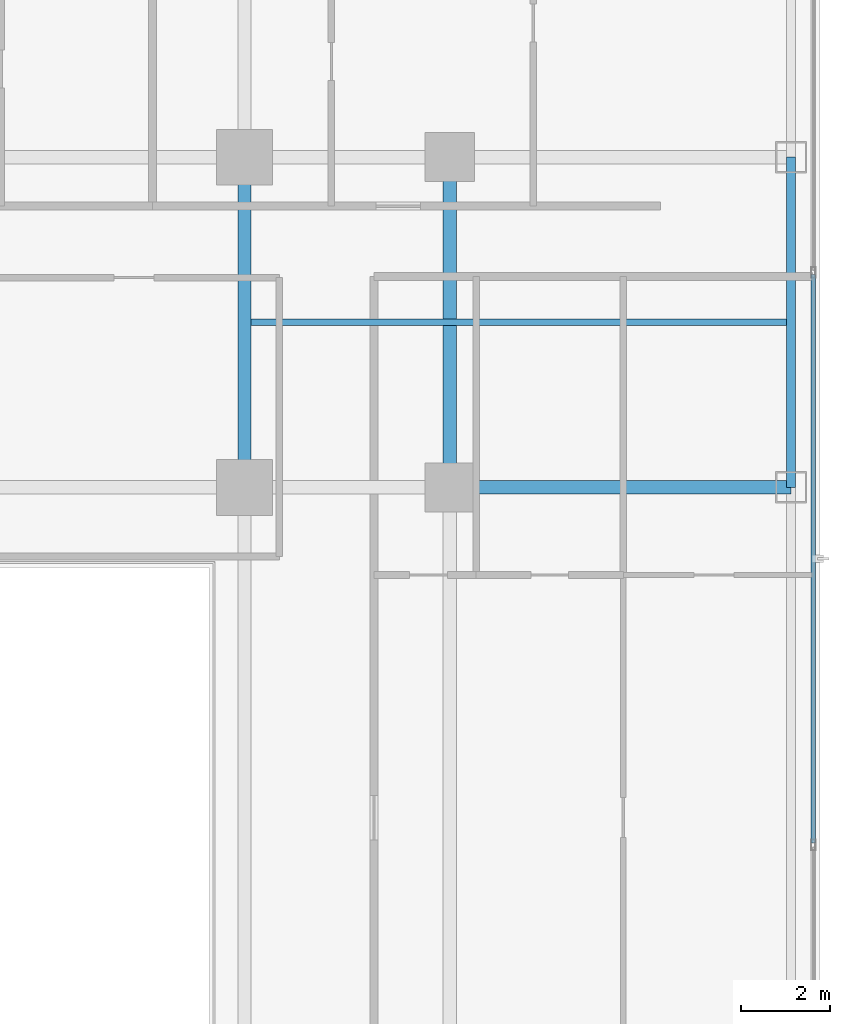
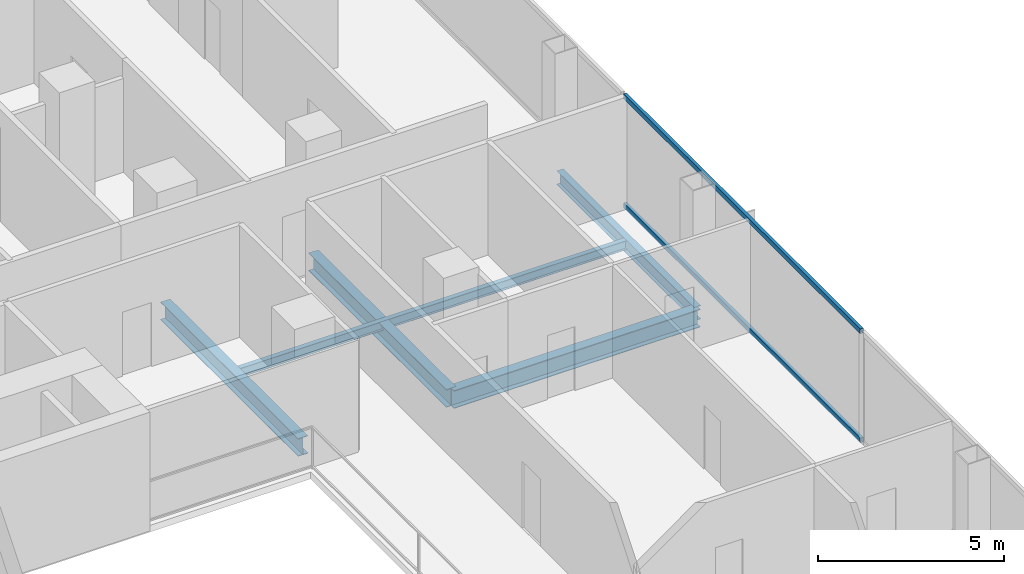
# One storey, part 10 of 30: 5 beams, 2 members, 1 element without a shape of its own.
"""IFC4 building model written with IfcOpenShell, lengths in metres."""

from ifc_helpers import new_model, si_unit, direction, frame, origin, origin_2d, place, context, subcontext, project, spatial, hollow_rectangle, i_section, extrude, material, layer, layer_set, material_profile, profile_set, type_object, element, aggregate, save


model = new_model("IFC4")

# Units and contexts
model_context = context("Model", 3, precision=1e-05, world=origin(), true_north=direction((0.0, 1.0)))
body_context = subcontext(model_context, "Body", "Model", "MODEL_VIEW")
ifc_project = project(units=[si_unit("LENGTHUNIT", "METRE"), si_unit("AREAUNIT", "SQUARE_METRE"), si_unit("VOLUMEUNIT", "CUBIC_METRE"), si_unit("PLANEANGLEUNIT", "RADIAN"), si_unit("MASSUNIT", "GRAM", prefix="KILO")], contexts=[model_context])

# Site, building, storey
site_placement = place(None, origin())
site = spatial("IfcSite", under=ifc_project, at=site_placement, CompositionType="ELEMENT")
building_placement = place(site_placement, origin())
building = spatial("IfcBuilding", under=site, at=building_placement, Name="Khorvyn Point Tower", CompositionType="ELEMENT")
storey_placement = place(building_placement, frame((0.0, 0.0, 117.300048828125)))
storey = spatial("IfcBuildingStorey", under=building, at=storey_placement, Name="L29", CompositionType="ELEMENT", Elevation=117.300048828125)

# Curtain wall, members
ifc_material_1 = material(Name="Anodised aluminium 6063-T6 and laminated Low-E glass", Category="aluminium")
ifc_layer = layer(ifc_material_1, 0.18994140625)
ifc_layer_set = layer_set([ifc_layer], Name="Stick-Built Acoustic Curtain Wall CW-SYS-03")
curtain_wall_type = type_object("IfcCurtainWallType", Name="Stick-Built Acoustic Curtain Wall CW-SYS-03", PredefinedType="NOTDEFINED", material=ifc_layer_set)
curtain_wall_placement = place(storey_placement, origin())
curtain_wall = element("IfcCurtainWall", 1, at=curtain_wall_placement, inside=storey, type_object=curtain_wall_type, Name="Curtain Wall", PredefinedType="NOTDEFINED")
ifc_material_2 = material(Name="Anodised aluminium 6063-T6", Category="aluminium")
ifc_material_profile_1 = material_profile(ifc_material_2, hollow_rectangle(XDim=0.10009765625, YDim=0.159912109375, WallThickness=0.00439453125, at=origin_2d()))
ifc_profile_set_1 = profile_set([ifc_material_profile_1], Name="Anodised aluminium 6063-T6 ALU-TRN-100x160")
member_type = type_object("IfcMemberType", Name="Anodised Aluminium 6063-T6 Transom ALU-TRN-100x160", PredefinedType="USERDEFINED", material=ifc_profile_set_1)
member_1_placement = place(storey_placement, frame((27.550048828125, 12.166748046875, 0.050048828125), z_axis=(0.0, -1.0, 0.0), x_axis=(1.0, 0.0, 0.0)))
member_1 = element("IfcMember", 2, at=member_1_placement, type_object=member_type, Name="Transom", ObjectType="TRANSOM", PredefinedType="USERDEFINED", context=body_context, shape_type="SweptSolid", body=[
    extrude(hollow_rectangle(XDim=0.10009765625, YDim=0.159912109375, WallThickness=0.00439453125, at=origin_2d()), origin(), (0.0, 0.0, 1.0), 12.7333984375),
])
member_2_placement = place(storey_placement, frame((27.550048828125, 12.166748046875, 3.6298828125), z_axis=(0.0, -1.0, 0.0), x_axis=(1.0, 0.0, 0.0)))
member_2 = element("IfcMember", 3, at=member_2_placement, type_object=member_type, Name="Transom", ObjectType="TRANSOM", PredefinedType="USERDEFINED", context=body_context, shape_type="SweptSolid", body=[
    extrude(hollow_rectangle(XDim=0.10009765625, YDim=0.159912109375, WallThickness=0.00439453125, at=origin_2d()), origin(), (0.0, 0.0, 1.0), 12.7333984375),
])
aggregate(curtain_wall, [member_1, member_2])

# Beams
ifc_material_3 = material(Name="Steel S355", Category="steel")
ifc_material_profile_2 = material_profile(ifc_material_3, i_section(OverallWidth=0.300048828125, OverallDepth=0.587890625, WebThickness=0.011962890625, FlangeThickness=0.02001953125, at=origin_2d()))
ifc_profile_set_2 = profile_set([ifc_material_profile_2], Name="Steel S355 H588x300x12x20")
beam_type_1 = type_object("IfcBeamType", Name="Steel S355 Beam H588x300x12x20", PredefinedType="BEAM", material=ifc_profile_set_2)
beam_1_placement = place(storey_placement, frame((19.39990234375, 7.39990234375, -0.51416015625), z_axis=(1.0, 0.0, 0.0), x_axis=(0.0, 1.0, 0.0)))
element("IfcBeam", 4, at=beam_1_placement, inside=storey, type_object=beam_type_1, Name="Beam", PredefinedType="BEAM", context=body_context, shape_type="SweptSolid", body=[
    extrude(i_section(OverallWidth=0.300048828125, OverallDepth=0.587890625, WebThickness=0.011962890625, FlangeThickness=0.02001953125, at=origin_2d()), origin(), (0.0, 0.0, 1.0), 7.650146484375),
])
for number, where, z_axis, x_axis, name in (
    (5, (14.800048828125, 7.39990234375, -0.51416015625), (0.0, 1.0, 0.0), (-1.0, 0.0, 0.0), "Beam"),
    (6, (19.39990234375, 7.39990234375, -0.51416015625), (0.0, 1.0, 0.0), (-1.0, 0.0, 0.0), "Beam"),
):
    element("IfcBeam", number, at=place(storey_placement, frame(where, z_axis=z_axis, x_axis=x_axis)), inside=storey, type_object=beam_type_1, Name=name, PredefinedType="BEAM", context=body_context, shape_type="SweptSolid", body=[
        extrude(i_section(OverallWidth=0.300048828125, OverallDepth=0.587890625, WebThickness=0.011962890625, FlangeThickness=0.02001953125, at=origin_2d()), origin(), (0.0, 0.0, 1.0), 7.400146484375),
    ])
ifc_material_profile_3 = material_profile(ifc_material_3, i_section(OverallWidth=0.14990234375, OverallDepth=0.300048828125, WebThickness=0.006591796875, FlangeThickness=0.009033203125, at=origin_2d()))
ifc_profile_set_3 = profile_set([ifc_material_profile_3], Name="Steel S355 H300x150x6.5x9")
beam_type_2 = type_object("IfcBeamType", Name="Steel S355 Joist H300x150x6.5x9", PredefinedType="JOIST", material=ifc_profile_set_3)
beam_2_placement = place(storey_placement, frame((14.949951171875, 11.10009765625, -0.3701171875), z_axis=(1.0, 0.0, 0.0), x_axis=(0.0, 1.0, 0.0)))
element("IfcBeam", 7, at=beam_2_placement, inside=storey, type_object=beam_type_2, Name="Beam", PredefinedType="JOIST", context=body_context, shape_type="SweptSolid", body=[
    extrude(i_section(OverallWidth=0.14990234375, OverallDepth=0.300048828125, WebThickness=0.006591796875, FlangeThickness=0.009033203125, at=origin_2d()), origin(), (0.0, 0.0, 1.0), 12.0),
])
ifc_material_profile_4 = material_profile(ifc_material_3, i_section(OverallWidth=0.199951171875, OverallDepth=0.449951171875, WebThickness=0.009033203125, FlangeThickness=0.013916015625, at=origin_2d()))
ifc_profile_set_4 = profile_set([ifc_material_profile_4], Name="Steel S355 H450x200x9x14")
beam_type_3 = type_object("IfcBeamType", Name="Steel S355 Spandrel H450x200x9x14", PredefinedType="SPANDREL", material=ifc_profile_set_4)
beam_3_placement = place(storey_placement, frame((27.050048828125, 7.39990234375, -0.445068359375), z_axis=(0.0, 1.0, 0.0), x_axis=(-1.0, 0.0, 0.0)))
element("IfcBeam", 8, at=beam_3_placement, inside=storey, type_object=beam_type_3, Name="Beam", PredefinedType="SPANDREL", context=body_context, shape_type="SweptSolid", body=[
    extrude(i_section(OverallWidth=0.199951171875, OverallDepth=0.449951171875, WebThickness=0.009033203125, FlangeThickness=0.013916015625, at=origin_2d()), origin(), (0.0, 0.0, 1.0), 7.400146484375),
])

save(model, "model.ifc")
